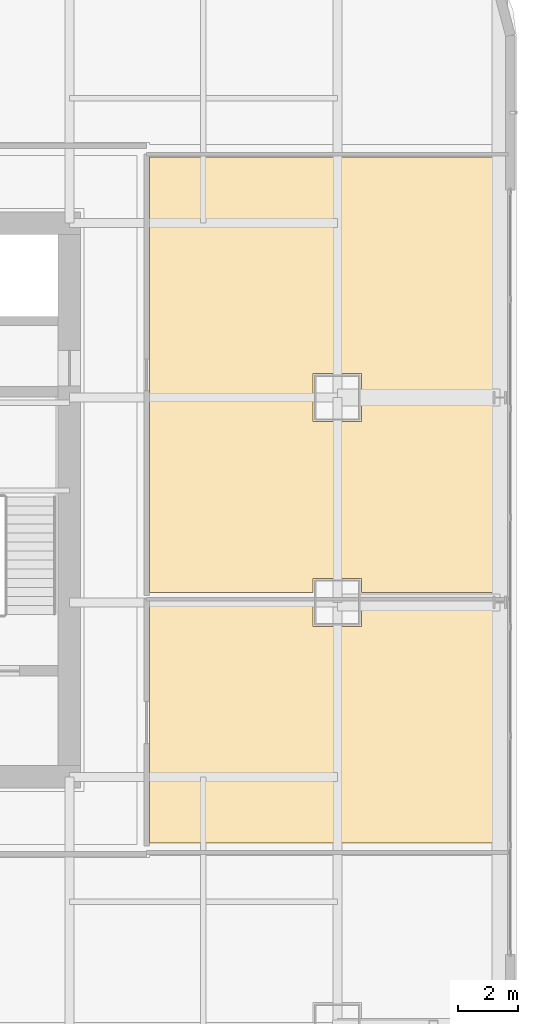
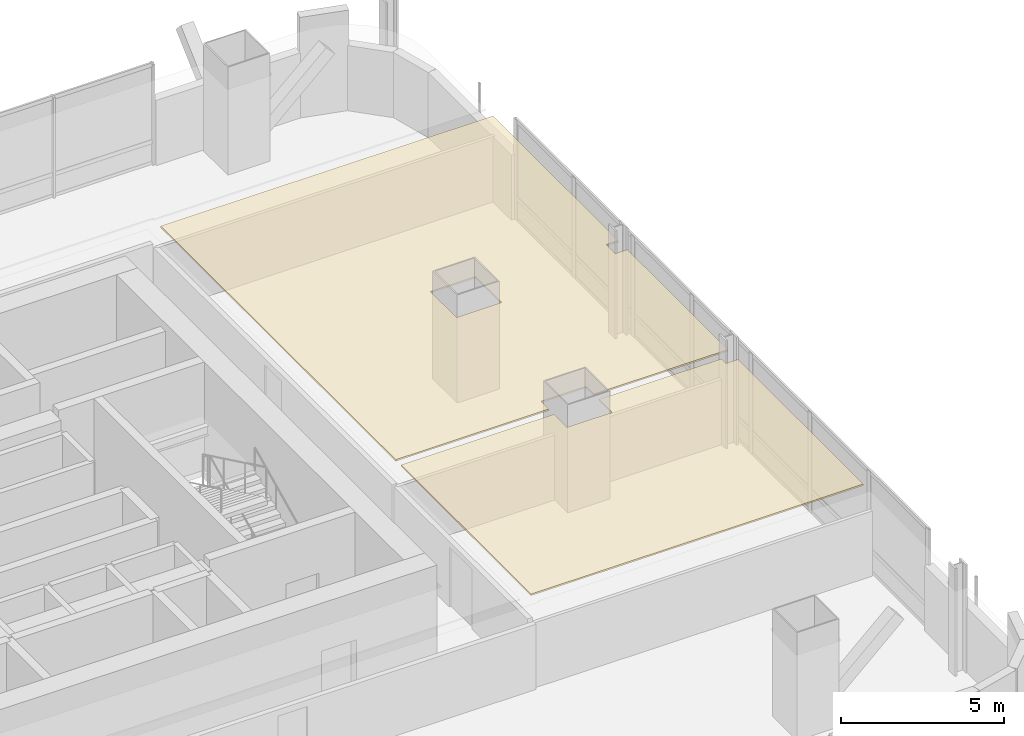
# One storey, part 39 of 42: 2 coverings.
"""IFC4 building model written with IfcOpenShell, lengths in metres."""

from ifc_helpers import new_model, si_unit, direction, frame, origin, place, context, subcontext, project, spatial, polyline, outline, extrude, material, layer, layer_set, type_object, element, save


model = new_model("IFC4")

# Units and contexts
model_context = context("Model", 3, precision=1e-05, world=origin(), true_north=direction((0.0, 1.0)))
body_context = subcontext(model_context, "Body", "Model", "MODEL_VIEW")
ifc_project = project(units=[si_unit("LENGTHUNIT", "METRE"), si_unit("AREAUNIT", "SQUARE_METRE"), si_unit("VOLUMEUNIT", "CUBIC_METRE"), si_unit("PLANEANGLEUNIT", "RADIAN"), si_unit("MASSUNIT", "GRAM", prefix="KILO")], contexts=[model_context])

# Site, building, storey
site_placement = place(None, origin())
site = spatial("IfcSite", under=ifc_project, at=site_placement, CompositionType="ELEMENT")
building_placement = place(site_placement, origin())
building = spatial("IfcBuilding", under=site, at=building_placement, Name="Punatoya Terracotta Tower", CompositionType="ELEMENT")
storey_placement = place(building_placement, frame((0.0, 0.0, 88.949951171875)))
storey = spatial("IfcBuildingStorey", under=building, at=storey_placement, Name="L20", CompositionType="ELEMENT", Elevation=88.949951171875)

# Coverings
ifc_material = material(Name="Acoustic Mineral Fibre Ceiling")
ifc_layer = layer(ifc_material, 0.06005859375)
ifc_layer_set = layer_set([ifc_layer], Name="Acoustic Mineral Fibre Ceiling")
covering_type = type_object("IfcCoveringType", Name="COV-CEIL-60", PredefinedType="CEILING", material=ifc_layer_set)
covering_1_placement = place(storey_placement, frame((0.0, 0.0, 3.199951171875)))
element("IfcCovering", 1, at=covering_1_placement, inside=storey, type_object=covering_type, Name="L20 Open-Plan Cultural History Classroom Acoustic Ceiling", PredefinedType="CEILING", context=body_context, shape_type="SweptSolid", body=[
    extrude(outline(polyline([(12.8701171875, -3.39404296875), (12.8701171875, -11.389892578125), (24.669921875, -11.389892578125), (24.669921875, -3.673095703125), (24.241943359375, -3.673095703125), (24.241943359375, -3.39404296875), (19.89990234375, -3.39404296875), (19.89990234375, -4.199951171875), (18.300048828125, -4.199951171875), (18.300048828125, -3.39404296875), (12.8701171875, -3.39404296875)])), origin(), (0.0, 0.0, 1.0), 0.06005859375),
])
covering_2_placement = place(storey_placement, frame((0.0, 0.0, 3.199951171875)))
element("IfcCovering", 2, at=covering_2_placement, inside=storey, type_object=covering_type, Name="L20 Mindfulness Wellness Room Acoustic Ceiling", PredefinedType="CEILING", context=body_context, shape_type="SweptSolid", body=[
    extrude(outline(polyline([(12.8701171875, 11.389892578125), (12.8701171875, -3.073974609375), (18.300048828125, -3.073974609375), (18.300048828125, -2.60009765625), (19.89990234375, -2.60009765625), (19.89990234375, -3.073974609375), (24.669921875, -3.073974609375), (24.669921875, 3.126953125), (24.241943359375, 3.126953125), (24.241943359375, 3.673095703125), (24.669921875, 3.673095703125), (24.669921875, 11.389892578125), (12.8701171875, 11.389892578125)]), holes=[polyline([(18.300048828125, 4.199951171875), (19.89990234375, 4.199951171875), (19.89990234375, 2.60009765625), (18.300048828125, 2.60009765625), (18.300048828125, 4.199951171875)])]), origin(), (0.0, 0.0, 1.0), 0.06005859375),
])

save(model, "model.ifc")
